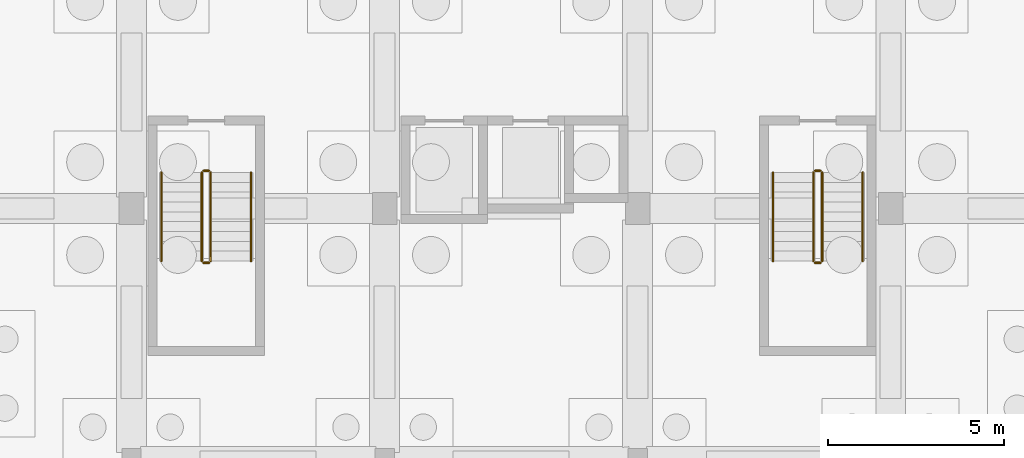
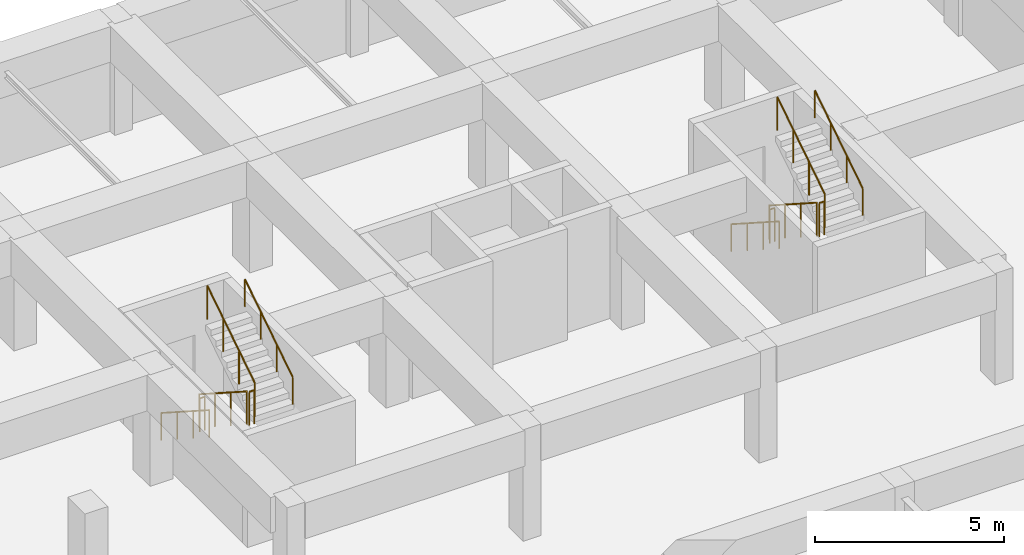
# One storey, part 35 of 36: 12 railings.
"""IFC4 building model written with IfcOpenShell, lengths in metres."""

from ifc_helpers import new_model, si_unit, direction, frame, origin, origin_2d, place, context, subcontext, project, spatial, circle, extrude, material, type_object, element, save


model = new_model("IFC4")

# Units and contexts
model_context = context("Model", 3, precision=1e-05, world=origin(), true_north=direction((0.0, 1.0)))
body_context = subcontext(model_context, "Body", "Model", "MODEL_VIEW")
ifc_project = project(units=[si_unit("LENGTHUNIT", "METRE"), si_unit("AREAUNIT", "SQUARE_METRE"), si_unit("VOLUMEUNIT", "CUBIC_METRE"), si_unit("PLANEANGLEUNIT", "RADIAN"), si_unit("MASSUNIT", "GRAM", prefix="KILO")], contexts=[model_context])

# Site, building, storey
site_placement = place(None, origin())
site = spatial("IfcSite", under=ifc_project, at=site_placement, CompositionType="ELEMENT")
building_placement = place(site_placement, origin())
building = spatial("IfcBuilding", under=site, at=building_placement, Name="Ochrevale Crest", CompositionType="ELEMENT")
storey_placement = place(building_placement, frame((0.0, 0.0, -3.60009765625)))
storey = spatial("IfcBuildingStorey", under=building, at=storey_placement, Name="B1", CompositionType="ELEMENT", Elevation=-3.60009765625)

# Railings
ifc_material_1 = material(Name="Galvanised steel", Category="steel")
railing_type_1 = type_object("IfcRailingType", Name="RL-ST-GUARD", PredefinedType="BALUSTRADE", material=ifc_material_1)
railing_1_placement = place(storey_placement, frame((138.800048828125, 80.22509765625, 0.18017578125)))
element("IfcRailing", 1, at=railing_1_placement, inside=storey, type_object=railing_type_1, Name="B1 ST-D1 stair guard 1", PredefinedType="BALUSTRADE", context=body_context, shape_type="SweptSolid", body=[
    extrude(circle(Radius=0.02392578125, at=origin_2d()), frame((0.0, 0.0, 1.076171875), z_axis=(0.0, -0.841199657755, 0.540724639528), x_axis=(1.0, 0.0, 0.0)), (0.0, 0.0, 1.0), 2.995849609375),
    extrude(circle(Radius=0.02099609375, at=origin_2d()), origin(), (0.0, 0.0, 1.0), 1.052001953125),
    extrude(circle(Radius=0.02099609375, at=origin_2d()), frame((0.0, -0.840087890625, 0.5400390625)), (0.0, 0.0, 1.0), 1.052001953125),
    extrude(circle(Radius=0.02099609375, at=origin_2d()), frame((0.0, -1.679931640625, 1.079833984375)), (0.0, 0.0, 1.0), 1.052001953125),
    extrude(circle(Radius=0.02099609375, at=origin_2d()), frame((0.0, -2.52001953125, 1.619873046875)), (0.0, 0.0, 1.0), 1.052001953125),
])
railing_2_placement = place(storey_placement, frame((138.85009765625, 77.655029296875, 1.800048828125)))
element("IfcRailing", 2, at=railing_2_placement, inside=storey, type_object=railing_type_1, Name="B1 ST-D1 stair guard 2", PredefinedType="BALUSTRADE", context=body_context, shape_type="SweptSolid", body=[
    extrude(circle(Radius=0.02392578125, at=origin_2d()), frame((0.0, 0.0, 1.076171875), z_axis=(1.0, 0.0, 0.0), x_axis=(0.0, 1.0, 0.0)), (0.0, 0.0, 1.0), 0.14990234375),
    extrude(circle(Radius=0.02099609375, at=origin_2d()), origin(), (0.0, 0.0, 1.0), 1.052001953125),
    extrude(circle(Radius=0.02099609375, at=origin_2d()), frame((0.14990234375, 0.0, 0.0)), (0.0, 0.0, 1.0), 1.052001953125),
])
railing_3_placement = place(storey_placement, frame((139.050048828125, 77.705078125, 1.97998046875)))
element("IfcRailing", 3, at=railing_3_placement, inside=storey, type_object=railing_type_1, Name="B1 ST-D1 stair guard 3", PredefinedType="BALUSTRADE", context=body_context, shape_type="SweptSolid", body=[
    extrude(circle(Radius=0.02392578125, at=origin_2d()), frame((0.0, 0.0, 1.076171875), z_axis=(0.0, 0.841162588446, 0.540782303519), x_axis=(-1.0, 0.0, 0.0)), (0.0, 0.0, 1.0), 2.995849609375),
    extrude(circle(Radius=0.02099609375, at=origin_2d()), origin(), (0.0, 0.0, 1.0), 1.052001953125),
    extrude(circle(Radius=0.02099609375, at=origin_2d()), frame((0.0, 0.840087890625, 0.5400390625)), (0.0, 0.0, 1.0), 1.052001953125),
    extrude(circle(Radius=0.02099609375, at=origin_2d()), frame((0.0, 1.679931640625, 1.080078125)), (0.0, 0.0, 1.0), 1.052001953125),
    extrude(circle(Radius=0.02099609375, at=origin_2d()), frame((0.0, 2.52001953125, 1.6201171875)), (0.0, 0.0, 1.0), 1.052001953125),
])
railing_4_placement = place(storey_placement, frame((138.85009765625, 80.27490234375, 0.0)))
element("IfcRailing", 4, at=railing_4_placement, inside=storey, type_object=railing_type_1, Name="B1 ST-D1 stair guard 4", PredefinedType="BALUSTRADE", context=body_context, shape_type="SweptSolid", body=[
    extrude(circle(Radius=0.02392578125, at=origin_2d()), frame((0.0, 0.0, 1.076171875), z_axis=(1.0, 0.0, 0.0), x_axis=(0.0, 1.0, 0.0)), (0.0, 0.0, 1.0), 0.14990234375),
    extrude(circle(Radius=0.02099609375, at=origin_2d()), origin(), (0.0, 0.0, 1.0), 1.052001953125),
    extrude(circle(Radius=0.02099609375, at=origin_2d()), frame((0.14990234375, 0.0, 0.0)), (0.0, 0.0, 1.0), 1.052001953125),
])
railing_5_placement = place(storey_placement, frame((156.199951171875, 80.22509765625, 0.18017578125)))
element("IfcRailing", 5, at=railing_5_placement, inside=storey, type_object=railing_type_1, Name="B1 ST-D2 stair guard 1", PredefinedType="BALUSTRADE", context=body_context, shape_type="SweptSolid", body=[
    extrude(circle(Radius=0.02392578125, at=origin_2d()), frame((0.0, 0.0, 1.076171875), z_axis=(0.0, -0.841199657755, 0.540724639528), x_axis=(1.0, 0.0, 0.0)), (0.0, 0.0, 1.0), 2.995849609375),
    extrude(circle(Radius=0.02099609375, at=origin_2d()), origin(), (0.0, 0.0, 1.0), 1.052001953125),
    extrude(circle(Radius=0.02099609375, at=origin_2d()), frame((0.0, -0.840087890625, 0.5400390625)), (0.0, 0.0, 1.0), 1.052001953125),
    extrude(circle(Radius=0.02099609375, at=origin_2d()), frame((0.0, -1.679931640625, 1.079833984375)), (0.0, 0.0, 1.0), 1.052001953125),
    extrude(circle(Radius=0.02099609375, at=origin_2d()), frame((0.0, -2.52001953125, 1.619873046875)), (0.0, 0.0, 1.0), 1.052001953125),
])
railing_6_placement = place(storey_placement, frame((156.25, 77.655029296875, 1.800048828125)))
element("IfcRailing", 6, at=railing_6_placement, inside=storey, type_object=railing_type_1, Name="B1 ST-D2 stair guard 2", PredefinedType="BALUSTRADE", context=body_context, shape_type="SweptSolid", body=[
    extrude(circle(Radius=0.02392578125, at=origin_2d()), frame((0.0, 0.0, 1.076171875), z_axis=(1.0, 0.0, 0.0), x_axis=(0.0, 1.0, 0.0)), (0.0, 0.0, 1.0), 0.14990234375),
    extrude(circle(Radius=0.02099609375, at=origin_2d()), origin(), (0.0, 0.0, 1.0), 1.052001953125),
    extrude(circle(Radius=0.02099609375, at=origin_2d()), frame((0.14990234375, 0.0, 0.0)), (0.0, 0.0, 1.0), 1.052001953125),
])
railing_7_placement = place(storey_placement, frame((156.449951171875, 77.705078125, 1.97998046875)))
element("IfcRailing", 7, at=railing_7_placement, inside=storey, type_object=railing_type_1, Name="B1 ST-D2 stair guard 3", PredefinedType="BALUSTRADE", context=body_context, shape_type="SweptSolid", body=[
    extrude(circle(Radius=0.02392578125, at=origin_2d()), frame((0.0, 0.0, 1.076171875), z_axis=(0.0, 0.841162588446, 0.540782303519), x_axis=(-1.0, 0.0, 0.0)), (0.0, 0.0, 1.0), 2.995849609375),
    extrude(circle(Radius=0.02099609375, at=origin_2d()), origin(), (0.0, 0.0, 1.0), 1.052001953125),
    extrude(circle(Radius=0.02099609375, at=origin_2d()), frame((0.0, 0.840087890625, 0.5400390625)), (0.0, 0.0, 1.0), 1.052001953125),
    extrude(circle(Radius=0.02099609375, at=origin_2d()), frame((0.0, 1.679931640625, 1.080078125)), (0.0, 0.0, 1.0), 1.052001953125),
    extrude(circle(Radius=0.02099609375, at=origin_2d()), frame((0.0, 2.52001953125, 1.6201171875)), (0.0, 0.0, 1.0), 1.052001953125),
])
railing_8_placement = place(storey_placement, frame((156.25, 80.27490234375, 0.0)))
element("IfcRailing", 8, at=railing_8_placement, inside=storey, type_object=railing_type_1, Name="B1 ST-D2 stair guard 4", PredefinedType="BALUSTRADE", context=body_context, shape_type="SweptSolid", body=[
    extrude(circle(Radius=0.02392578125, at=origin_2d()), frame((0.0, 0.0, 1.076171875), z_axis=(1.0, 0.0, 0.0), x_axis=(0.0, 1.0, 0.0)), (0.0, 0.0, 1.0), 0.14990234375),
    extrude(circle(Radius=0.02099609375, at=origin_2d()), origin(), (0.0, 0.0, 1.0), 1.052001953125),
    extrude(circle(Radius=0.02099609375, at=origin_2d()), frame((0.14990234375, 0.0, 0.0)), (0.0, 0.0, 1.0), 1.052001953125),
])
ifc_material_2 = material(Name="Stainless steel", Category="steel")
railing_type_2 = type_object("IfcRailingType", Name="RL-ST-HRAIL", PredefinedType="HANDRAIL", material=ifc_material_2)
railing_9_placement = place(storey_placement, frame((137.64990234375, 80.22509765625, 0.18017578125)))
element("IfcRailing", 9, at=railing_9_placement, inside=storey, type_object=railing_type_2, Name="B1 ST-D1 stair handrail 1", PredefinedType="HANDRAIL", context=body_context, shape_type="SweptSolid", body=[
    extrude(circle(Radius=0.02392578125, at=origin_2d()), frame((0.0, 0.0, 0.8759765625), z_axis=(0.0, -0.841199657755, 0.540724639528), x_axis=(1.0, 0.0, 0.0)), (0.0, 0.0, 1.0), 2.995849609375),
    extrude(circle(Radius=0.02099609375, at=origin_2d()), origin(), (0.0, 0.0, 1.0), 0.851806640625),
    extrude(circle(Radius=0.02099609375, at=origin_2d()), frame((0.0, -0.840087890625, 0.5400390625)), (0.0, 0.0, 1.0), 0.851806640625),
    extrude(circle(Radius=0.02099609375, at=origin_2d()), frame((0.0, -1.679931640625, 1.079833984375)), (0.0, 0.0, 1.0), 0.851806640625),
    extrude(circle(Radius=0.02099609375, at=origin_2d()), frame((0.0, -2.52001953125, 1.619873046875)), (0.0, 0.0, 1.0), 0.851806640625),
])
railing_10_placement = place(storey_placement, frame((140.199951171875, 77.705078125, 1.97998046875)))
element("IfcRailing", 10, at=railing_10_placement, inside=storey, type_object=railing_type_2, Name="B1 ST-D1 stair handrail 2", PredefinedType="HANDRAIL", context=body_context, shape_type="SweptSolid", body=[
    extrude(circle(Radius=0.02392578125, at=origin_2d()), frame((0.0, 0.0, 0.8759765625), z_axis=(0.0, 0.841162588446, 0.540782303519), x_axis=(-1.0, 0.0, 0.0)), (0.0, 0.0, 1.0), 2.995849609375),
    extrude(circle(Radius=0.02099609375, at=origin_2d()), origin(), (0.0, 0.0, 1.0), 0.851806640625),
    extrude(circle(Radius=0.02099609375, at=origin_2d()), frame((0.0, 0.840087890625, 0.5400390625)), (0.0, 0.0, 1.0), 0.851806640625),
    extrude(circle(Radius=0.02099609375, at=origin_2d()), frame((0.0, 1.679931640625, 1.080078125)), (0.0, 0.0, 1.0), 0.851806640625),
    extrude(circle(Radius=0.02099609375, at=origin_2d()), frame((0.0, 2.52001953125, 1.6201171875)), (0.0, 0.0, 1.0), 0.851806640625),
])
railing_11_placement = place(storey_placement, frame((155.050048828125, 80.22509765625, 0.18017578125)))
element("IfcRailing", 11, at=railing_11_placement, inside=storey, type_object=railing_type_2, Name="B1 ST-D2 stair handrail 1", PredefinedType="HANDRAIL", context=body_context, shape_type="SweptSolid", body=[
    extrude(circle(Radius=0.02392578125, at=origin_2d()), frame((0.0, 0.0, 0.8759765625), z_axis=(0.0, -0.841199657755, 0.540724639528), x_axis=(1.0, 0.0, 0.0)), (0.0, 0.0, 1.0), 2.995849609375),
    extrude(circle(Radius=0.02099609375, at=origin_2d()), origin(), (0.0, 0.0, 1.0), 0.851806640625),
    extrude(circle(Radius=0.02099609375, at=origin_2d()), frame((0.0, -0.840087890625, 0.5400390625)), (0.0, 0.0, 1.0), 0.851806640625),
    extrude(circle(Radius=0.02099609375, at=origin_2d()), frame((0.0, -1.679931640625, 1.079833984375)), (0.0, 0.0, 1.0), 0.851806640625),
    extrude(circle(Radius=0.02099609375, at=origin_2d()), frame((0.0, -2.52001953125, 1.619873046875)), (0.0, 0.0, 1.0), 0.851806640625),
])
railing_12_placement = place(storey_placement, frame((157.60009765625, 77.705078125, 1.97998046875)))
element("IfcRailing", 12, at=railing_12_placement, inside=storey, type_object=railing_type_2, Name="B1 ST-D2 stair handrail 2", PredefinedType="HANDRAIL", context=body_context, shape_type="SweptSolid", body=[
    extrude(circle(Radius=0.02392578125, at=origin_2d()), frame((0.0, 0.0, 0.8759765625), z_axis=(0.0, 0.841162588446, 0.540782303519), x_axis=(-1.0, 0.0, 0.0)), (0.0, 0.0, 1.0), 2.995849609375),
    extrude(circle(Radius=0.02099609375, at=origin_2d()), origin(), (0.0, 0.0, 1.0), 0.851806640625),
    extrude(circle(Radius=0.02099609375, at=origin_2d()), frame((0.0, 0.840087890625, 0.5400390625)), (0.0, 0.0, 1.0), 0.851806640625),
    extrude(circle(Radius=0.02099609375, at=origin_2d()), frame((0.0, 1.679931640625, 1.080078125)), (0.0, 0.0, 1.0), 0.851806640625),
    extrude(circle(Radius=0.02099609375, at=origin_2d()), frame((0.0, 2.52001953125, 1.6201171875)), (0.0, 0.0, 1.0), 0.851806640625),
])

save(model, "model.ifc")
